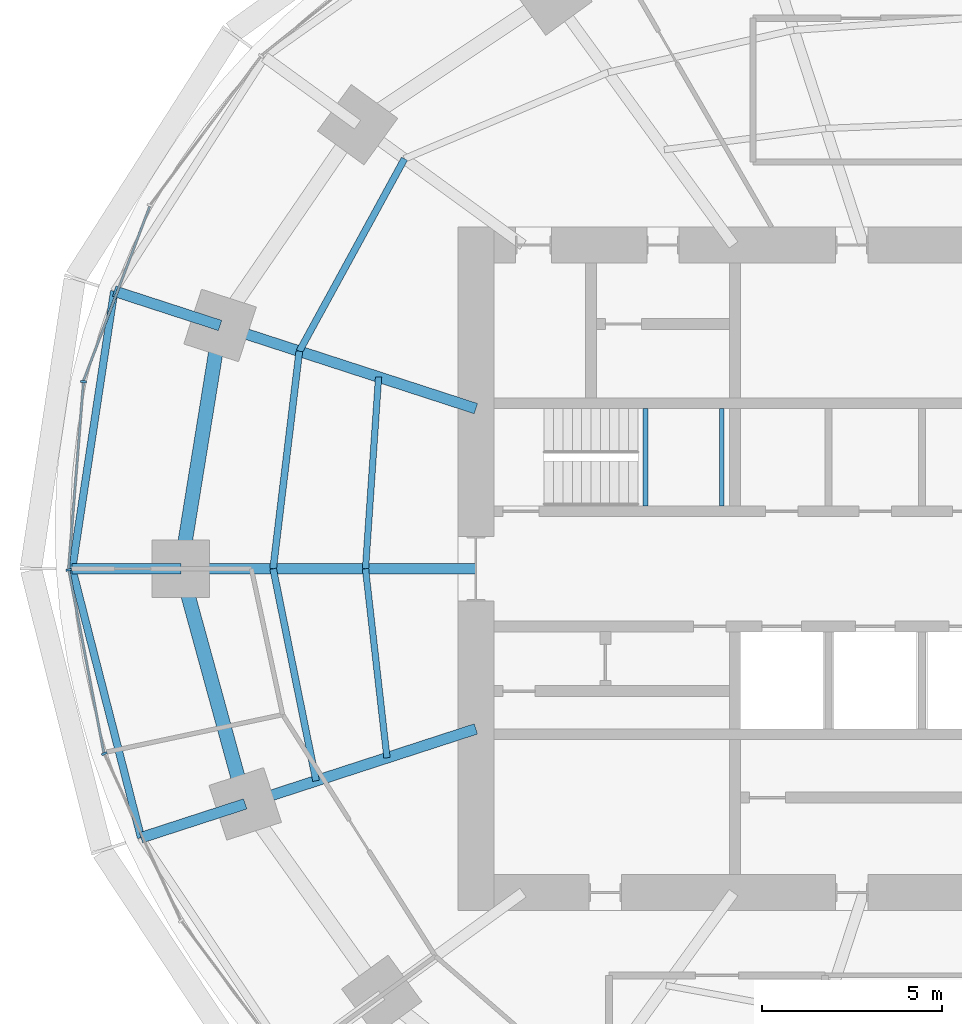
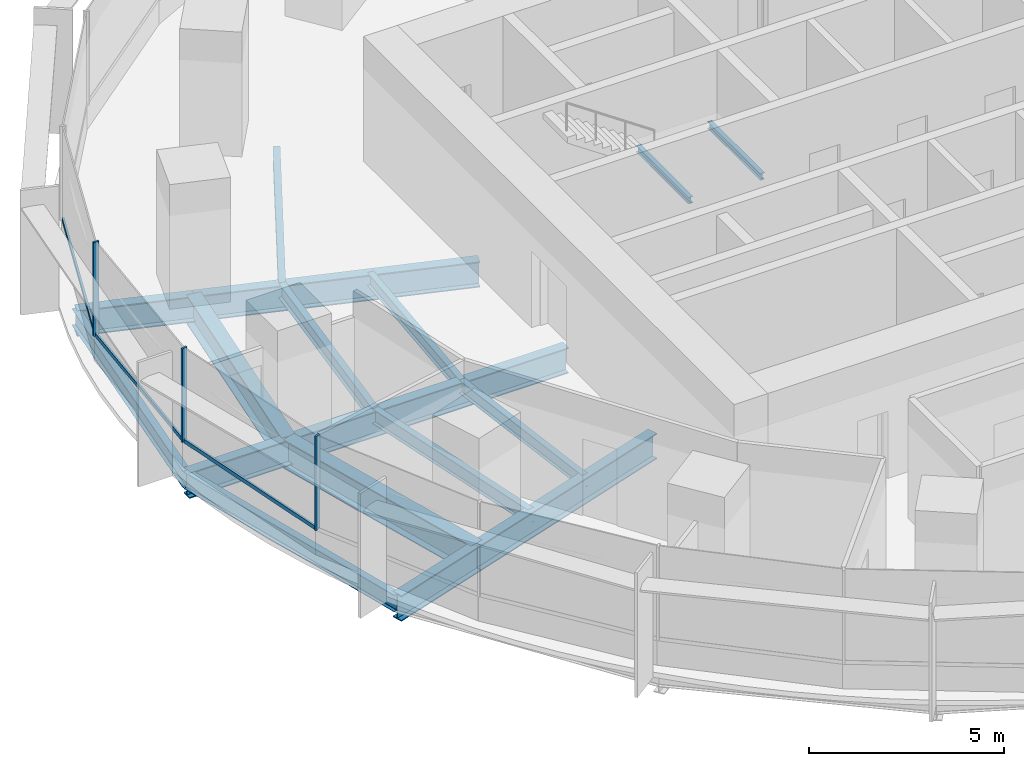
# One storey, part 4 of 14: 17 beams, 6 members, 2 elements without a shape of their own.
"""IFC4 building model written with IfcOpenShell, lengths in metres."""

import ifcopenshell
import ifcopenshell.guid

model = None  # the IFC model being written
_history = None  # IfcOwnerHistory: only IFC2X3 demands one
_inside = {}  # id of a spatial element -> (the spatial element, [elements in it])
_under = {}  # id of a project, library or spatial element -> (it, [spatial elements below it])
_declared = {}  # id of a project -> (the project, [libraries it declares])
_typed = {}  # id of a type object -> (the type object, [elements of that type])
_made_of = {}  # id of a material, layer set ... -> (it, [elements and type objects made of it])


def new_model(schema):
    """Start an empty IFC model of exactly this schema.

    Asked for "IFC4X3", IfcOpenShell would pick the latest addendum, in which some entities
    have other attributes; the version numbers below select the first issue.
    IFC2X3 requires an IfcOwnerHistory on every rooted entity: one is made here for all.
    """
    global model, _history
    if schema == "IFC4X3":
        model = ifcopenshell.file(schema_version=(4, 3, 0, 0))
    else:
        model = ifcopenshell.file(schema=schema)
    _inside.clear()
    _under.clear()
    _declared.clear()
    _typed.clear()
    _made_of.clear()
    _history = None
    if model.schema == "IFC2X3":
        org = make("IfcOrganization", Name="unknown")
        user = make(
            "IfcPersonAndOrganization",
            ThePerson=make("IfcPerson", FamilyName="unknown"),
            TheOrganization=org,
        )
        app = make(
            "IfcApplication",
            ApplicationDeveloper=org,
            Version="unknown",
            ApplicationFullName="unknown",
            ApplicationIdentifier="unknown",
        )
        _history = make(
            "IfcOwnerHistory",
            OwningUser=user,
            OwningApplication=app,
            ChangeAction="ADDED",
            CreationDate=0,
        )
    return model


def make(cls, **values):
    """One entity of the class cls with the attributes given. An attribute that is None is left unset."""
    return model.create_entity(
        cls, **{name: value for name, value in values.items() if value is not None}
    )


def rooted(cls, **values):
    """An entity with a GlobalId (a new one), such as an element, a storey or a relation."""
    return make(cls, GlobalId=ifcopenshell.guid.new(), OwnerHistory=_history, **values)


def si_unit(unit_type, name, prefix=None):
    """IfcSIUnit, for example si_unit("LENGTHUNIT", "METRE", prefix="MILLI")."""
    return make("IfcSIUnit", UnitType=unit_type, Prefix=prefix, Name=name)


def assignment(units):
    """IfcUnitAssignment: the units of a project."""
    return None if units is None else make("IfcUnitAssignment", Units=units)


def point(xyz):
    """IfcCartesianPoint."""
    return None if xyz is None else make("IfcCartesianPoint", Coordinates=xyz)


def direction(xyz):
    """IfcDirection."""
    return None if xyz is None else make("IfcDirection", DirectionRatios=xyz)


def frame(location, z_axis=None, x_axis=None):
    """IfcAxis2Placement3D, a coordinate frame: its origin and axes. An axis left out is left unset."""
    return make(
        "IfcAxis2Placement3D",
        Location=point(location),
        Axis=direction(z_axis),
        RefDirection=direction(x_axis),
    )


def frame_2d(location, x_axis=None):
    """IfcAxis2Placement2D, a coordinate frame in the plane: its origin and x axis."""
    return make(
        "IfcAxis2Placement2D", Location=point(location), RefDirection=direction(x_axis)
    )


def origin():
    """The frame at (0, 0, 0) with its axes left unset."""
    return frame((0.0, 0.0, 0.0))


def origin_2d():
    """The frame at (0, 0) in the plane with its x axis left unset."""
    return frame_2d((0.0, 0.0))


def place(relative_to, where):
    """IfcLocalPlacement: puts the frame where relative to a parent placement (None: the world)."""
    return make(
        "IfcLocalPlacement", PlacementRelTo=relative_to, RelativePlacement=where
    )


def context(
    kind, dimensions, precision=None, world=None, true_north=None, identifier=None
):
    """IfcGeometricRepresentationContext, for example the 3D "Model" context."""
    return make(
        "IfcGeometricRepresentationContext",
        ContextIdentifier=identifier,
        ContextType=kind,
        CoordinateSpaceDimension=dimensions,
        Precision=precision,
        WorldCoordinateSystem=world,
        TrueNorth=true_north,
    )


def subcontext(parent, identifier, kind, view, scale=None):
    """IfcGeometricRepresentationSubContext, for example "Body" below "Model"."""
    return make(
        "IfcGeometricRepresentationSubContext",
        ContextIdentifier=identifier,
        ContextType=kind,
        ParentContext=parent,
        TargetScale=scale,
        TargetView=view,
    )


def project(units=None, contexts=None):
    """IfcProject with its units and contexts."""
    return rooted(
        "IfcProject",
        Name="project",
        RepresentationContexts=contexts,
        UnitsInContext=assignment(units),
    )


def spatial(cls, under=None, at=None, **own):
    """A site, building, storey or space (cls), placed at a placement, below another one or the project."""
    s = rooted(cls, ObjectPlacement=at, **own)
    if under is not None:
        _under.setdefault(under.id(), (under, []))[1].append(s)
    return s


def profile(cls, at=None, kind="AREA", **sizes):
    """A parametric profile (cls). Its sizes go by their IFC names, for example OverallWidth=200.0."""
    return make(cls, ProfileType=kind, Position=at, **sizes)


def rectangle(**sizes):
    """IfcRectangleProfileDef."""
    return profile("IfcRectangleProfileDef", **sizes)


def i_section(**sizes):
    """IfcIShapeProfileDef."""
    return profile("IfcIShapeProfileDef", **sizes)


def extrude(swept, where, along, depth):
    """IfcExtrudedAreaSolid: the profile swept, set in the frame where, extruded along a direction by depth."""
    return make(
        "IfcExtrudedAreaSolid",
        SweptArea=swept,
        Position=where,
        ExtrudedDirection=direction(along),
        Depth=depth,
    )


def shape(context_of_items, identifier, shape_type, items):
    """IfcShapeRepresentation: the items that make up one representation, for example the "Body"."""
    return make(
        "IfcShapeRepresentation",
        ContextOfItems=context_of_items,
        RepresentationIdentifier=identifier,
        RepresentationType=shape_type,
        Items=items,
    )


def material(Name=None, Category=None):
    """IfcMaterial."""
    return make("IfcMaterial", Name=Name, Category=Category)


def material_profile(
    of_material, cross_section, Name=None, Category=None, Priority=None
):
    """IfcMaterialProfile: a cross section and its material."""
    return make(
        "IfcMaterialProfile",
        Name=Name,
        Material=of_material,
        Profile=cross_section,
        Priority=Priority,
        Category=Category,
    )


def profile_set(profiles, Name=None, composite=None):
    """IfcMaterialProfileSet."""
    return make(
        "IfcMaterialProfileSet",
        Name=Name,
        MaterialProfiles=profiles,
        CompositeProfile=composite,
    )


def made_of(thing, what):
    """Note that an element or type object is made of a material, layer set ...; save() writes the relation."""
    if what is not None:
        _made_of.setdefault(what.id(), (what, []))[1].append(thing)
    return thing


def type_object(cls, material=None, **own):
    """A type object (cls), such as IfcWallType, which elements share."""
    return made_of(rooted(cls, **own), material)


def element(
    cls,
    number,
    at=None,
    inside=None,
    cuts=None,
    type_object=None,
    material=None,
    context=None,
    identifier="Body",
    shape_type=None,
    held_by="IfcProductDefinitionShape",
    body=None,
    shapes=None,
    **own,
):
    """One element of the class cls, such as IfcWall. Its Tag is "e" and its number.

    at: its placement. inside: the storey or other place that contains it. cuts: it is an
    opening in that element (IfcRelVoidsElement). A single representation is given by context,
    identifier, shape_type and body (its items); several are given by shapes. held_by: the class
    of the entity that holds the representations. save() writes the other relations.
    """
    e = rooted(cls, Tag="e%d" % number, ObjectPlacement=at, **own)
    if body is not None:
        shapes = [shape(context, identifier, shape_type, body)]
    if shapes is not None:
        e.Representation = make(held_by, Representations=shapes)
    if inside is not None:
        _inside.setdefault(inside.id(), (inside, []))[1].append(e)
    if cuts is not None:
        rooted(
            "IfcRelVoidsElement", RelatingBuildingElement=cuts, RelatedOpeningElement=e
        )
    if type_object is not None:
        _typed.setdefault(type_object.id(), (type_object, []))[1].append(e)
    return made_of(e, material)


def aggregate(whole, parts):
    """IfcRelAggregates: a whole, such as a stair, and the parts it consists of."""
    return rooted("IfcRelAggregates", RelatingObject=whole, RelatedObjects=parts)


def save(model, path):
    """Write the relations noted so far, then the file.

    IfcRelAggregates (storeys below a building ...), IfcRelContainedInSpatialStructure (elements
    in a storey), IfcRelDefinesByType, IfcRelAssociatesMaterial and IfcRelDeclares: one each for
    every whole, place, type object, material and project.
    """
    for whole, parts in _under.values():
        aggregate(whole, parts)
    for where, things in _inside.values():
        rooted(
            "IfcRelContainedInSpatialStructure",
            RelatedElements=things,
            RelatingStructure=where,
        )
    for kind, things in _typed.values():
        rooted("IfcRelDefinesByType", RelatedObjects=things, RelatingType=kind)
    for what, things in _made_of.values():
        rooted("IfcRelAssociatesMaterial", RelatedObjects=things, RelatingMaterial=what)
    for by, libraries in _declared.values():
        rooted("IfcRelDeclares", RelatingContext=by, RelatedDefinitions=libraries)
    model.write(path)


model = new_model("IFC4")

# Units and contexts
model_context = context("Model", 3, precision=1e-05, world=origin(), true_north=direction((0.0, 1.0)))
body_context = subcontext(model_context, "Body", "Model", "MODEL_VIEW")
ifc_project = project(units=[si_unit("LENGTHUNIT", "METRE"), si_unit("AREAUNIT", "SQUARE_METRE"), si_unit("VOLUMEUNIT", "CUBIC_METRE"), si_unit("PLANEANGLEUNIT", "RADIAN"), si_unit("MASSUNIT", "GRAM", prefix="KILO")], contexts=[model_context])

# Site, building, storey
site_placement = place(None, origin())
site = spatial("IfcSite", under=ifc_project, at=site_placement, CompositionType="ELEMENT")
building_placement = place(site_placement, origin())
building = spatial("IfcBuilding", under=site, at=building_placement, Name="Marramba Exchange Tower", CompositionType="ELEMENT")
storey_placement = place(building_placement, frame((0.0, 0.0, 100.199951171875)))
storey = spatial("IfcBuildingStorey", under=building, at=storey_placement, Name="L23", CompositionType="ELEMENT", Elevation=100.199951171875)

# Beams
ifc_material_1 = material(Name="Steel AS/NZS 3679.2 grade 300", Category="steel")
ifc_material_profile_1 = material_profile(ifc_material_1, i_section(OverallWidth=0.300048828125, OverallDepth=0.800048828125, WebThickness=0.013916015625, FlangeThickness=0.031982421875, at=origin_2d()), Name="800WB192")
ifc_profile_set_1 = profile_set([ifc_material_profile_1], Name="Steel AS/NZS 3679.2 grade 300")
beam_type_1 = type_object("IfcBeamType", Name="Cantilever girder 800WB192", PredefinedType="BEAM", material=ifc_profile_set_1)
beam_1_placement = place(storey_placement, frame((-20.808349609375, 6.760986328125, -0.56005859375), z_axis=(-0.95104799017, 0.309043233858, 0.0), x_axis=(-0.309043233858, -0.95104799017, 0.0)))
element("IfcBeam", 1, at=beam_1_placement, inside=storey, type_object=beam_type_1, Name="Cantilever girder L23 TC10", PredefinedType="BEAM", context=body_context, shape_type="SweptSolid", body=[
    extrude(i_section(OverallWidth=0.300048828125, OverallDepth=0.800048828125, WebThickness=0.013916015625, FlangeThickness=0.031982421875, at=origin_2d()), origin(), (0.0, 0.0, 1.0), 3.0927734375),
])
beam_2_placement = place(storey_placement, frame((-21.89990234375, 0.0, -0.56005859375), z_axis=(-1.0, 0.0, 0.0), x_axis=(0.0, -1.0, 0.0)))
element("IfcBeam", 2, at=beam_2_placement, inside=storey, type_object=beam_type_1, Name="Cantilever girder L23 TC11", PredefinedType="BEAM", context=body_context, shape_type="SweptSolid", body=[
    extrude(i_section(OverallWidth=0.300048828125, OverallDepth=0.800048828125, WebThickness=0.013916015625, FlangeThickness=0.031982421875, at=origin_2d()), origin(), (0.0, 0.0, 1.0), 3.01806640625),
])
beam_3_placement = place(storey_placement, frame((-20.109375, -6.533935546875, -0.56005859375), z_axis=(-0.951070617775, -0.308973591113, 0.0), x_axis=(0.308973591113, -0.951070617775, 0.0)))
element("IfcBeam", 3, at=beam_3_placement, inside=storey, type_object=beam_type_1, Name="Cantilever girder L23 TC12", PredefinedType="BEAM", context=body_context, shape_type="SweptSolid", body=[
    extrude(i_section(OverallWidth=0.300048828125, OverallDepth=0.800048828125, WebThickness=0.013916015625, FlangeThickness=0.031982421875, at=origin_2d()), origin(), (0.0, 0.0, 1.0), 3.04296875),
])
ifc_material_2 = material(Name="Steel AS/NZS 3679.1 grade 300", Category="steel")
ifc_material_profile_2 = material_profile(ifc_material_2, i_section(OverallWidth=0.177978515625, OverallDepth=0.406005859375, WebThickness=0.0078125, FlangeThickness=0.0126953125, FilletRadius=0.011474609375, at=origin_2d()), Name="410UB59.7")
ifc_profile_set_2 = profile_set([ifc_material_profile_2], Name="Steel AS/NZS 3679.1 grade 300")
beam_type_2 = type_object("IfcBeamType", Name="Floor joist 410UB59.7", PredefinedType="JOIST", material=ifc_profile_set_2)
beam_4_placement = place(storey_placement, frame((-16.40283203125, 5.32958984375, -0.363037109375), z_axis=(-0.068096259546, -0.99767875563, 0.0), x_axis=(0.99767875563, -0.068096259546, 0.0)))
element("IfcBeam", 4, at=beam_4_placement, inside=storey, type_object=beam_type_2, Name="Joist L23 bay 10 row 1", PredefinedType="JOIST", context=body_context, shape_type="SweptSolid", body=[
    extrude(i_section(OverallWidth=0.177978515625, OverallDepth=0.406005859375, WebThickness=0.0078125, FlangeThickness=0.0126953125, FilletRadius=0.011474609375, at=origin_2d()), origin(), (0.0, 0.0, 1.0), 5.342041015625),
])
beam_5_placement = place(storey_placement, frame((-16.7666015625, 0.0, -0.363037109375), z_axis=(0.112888968594, -0.993607609054, 0.0), x_axis=(0.993607609054, 0.112888968594, 0.0)))
element("IfcBeam", 5, at=beam_5_placement, inside=storey, type_object=beam_type_2, Name="Joist L23 bay 11 row 1", PredefinedType="JOIST", context=body_context, shape_type="SweptSolid", body=[
    extrude(i_section(OverallWidth=0.177978515625, OverallDepth=0.406005859375, WebThickness=0.0078125, FlangeThickness=0.0126953125, FilletRadius=0.011474609375, at=origin_2d()), origin(), (0.0, 0.0, 1.0), 5.28759765625),
])
ifc_material_profile_3 = material_profile(ifc_material_2, i_section(OverallWidth=0.18994140625, OverallDepth=0.4541015625, WebThickness=0.008544921875, FlangeThickness=0.0126953125, FilletRadius=0.011474609375, at=origin_2d()), Name="460UB67.1")
ifc_profile_set_3 = profile_set([ifc_material_profile_3], Name="Steel AS/NZS 3679.1 grade 300")
beam_type_3 = type_object("IfcBeamType", Name="Floor joist 460UB67.1", PredefinedType="JOIST", material=ifc_profile_set_3)
beam_6_placement = place(storey_placement, frame((-15.682373046875, 11.393798828125, -0.386962890625), z_axis=(-0.479584443791, -0.877495732909, 0.0), x_axis=(0.877495732909, -0.479584443791, 0.0)))
element("IfcBeam", 6, at=beam_6_placement, inside=storey, type_object=beam_type_3, Name="Joist L23 bay 09 row 2", PredefinedType="JOIST", context=body_context, shape_type="SweptSolid", body=[
    extrude(i_section(OverallWidth=0.18994140625, OverallDepth=0.4541015625, WebThickness=0.008544921875, FlangeThickness=0.0126953125, FilletRadius=0.011474609375, at=origin_2d()), origin(), (0.0, 0.0, 1.0), 6.094970703125),
])
beam_7_placement = place(storey_placement, frame((-18.60546875, 6.04541015625, -0.386962890625), z_axis=(-0.119523078538, -0.992831422597, 0.0), x_axis=(0.992831422597, -0.119523078538, 0.0)))
element("IfcBeam", 7, at=beam_7_placement, inside=storey, type_object=beam_type_3, Name="Joist L23 bay 10 row 2", PredefinedType="JOIST", context=body_context, shape_type="SweptSolid", body=[
    extrude(i_section(OverallWidth=0.18994140625, OverallDepth=0.4541015625, WebThickness=0.008544921875, FlangeThickness=0.0126953125, FilletRadius=0.011474609375, at=origin_2d()), origin(), (0.0, 0.0, 1.0), 6.089111328125),
])
beam_8_placement = place(storey_placement, frame((-19.333251953125, 0.0, -0.386962890625), z_axis=(0.198489047047, -0.980103105904, 0.0), x_axis=(0.980103105904, 0.198489047047, 0.0)))
element("IfcBeam", 8, at=beam_8_placement, inside=storey, type_object=beam_type_3, Name="Joist L23 bay 11 row 2", PredefinedType="JOIST", context=body_context, shape_type="SweptSolid", body=[
    extrude(i_section(OverallWidth=0.18994140625, OverallDepth=0.4541015625, WebThickness=0.008544921875, FlangeThickness=0.0126953125, FilletRadius=0.011474609375, at=origin_2d()), origin(), (0.0, 0.0, 1.0), 6.013427734375),
])

# Curtain wall, member
ifc_material_3 = material(Name="Aluminium framing, bronze anodised", Category="aluminium")
curtain_wall_type = type_object("IfcCurtainWallType", Name="Office ribbon curtain wall", PredefinedType="USERDEFINED", material=ifc_material_3)
curtain_wall_1_placement = place(storey_placement, origin())
curtain_wall_1 = element("IfcCurtainWall", 9, at=curtain_wall_1_placement, inside=storey, type_object=curtain_wall_type, Name="Curtain wall CW4 L23 F11-F15", ObjectType="RIBBON CURTAIN WALL", PredefinedType="USERDEFINED")
ifc_material_4 = material(Name="Aluminium mullion, bronze anodised", Category="aluminium")
ifc_material_profile_4 = material_profile(ifc_material_4, rectangle(XDim=0.159912109375, YDim=0.06005859375, at=origin_2d()), Name="CW4 mullion 60x160")
ifc_profile_set_4 = profile_set([ifc_material_profile_4], Name="Aluminium mullion, bronze anodised")
member_type_1 = type_object("IfcMemberType", Name="Office ribbon curtain wall mullion", PredefinedType="MULLION", material=ifc_profile_set_4)
member_1_placement = place(storey_placement, frame((-24.603515625, 5.19921875, 0.800048828125), z_axis=(0.0, 0.0, 1.0), x_axis=(0.996838079455, -0.079459696383, 0.0)))
member_1 = element("IfcMember", 10, at=member_1_placement, type_object=member_type_1, Name="CW4 mullion 1", PredefinedType="MULLION", context=body_context, shape_type="SweptSolid", body=[
    extrude(rectangle(XDim=0.159912109375, YDim=0.06005859375, at=origin_2d()), origin(), (0.0, 0.0, 1.0), 2.93994140625),
])

# Curtain wall, members
curtain_wall_2_placement = place(storey_placement, origin())
curtain_wall_2 = element("IfcCurtainWall", 11, at=curtain_wall_2_placement, inside=storey, type_object=curtain_wall_type, Name="Curtain wall CW4 L23 F16-F20", ObjectType="RIBBON CURTAIN WALL", PredefinedType="USERDEFINED")
member_2_placement = place(storey_placement, frame((-25.012451171875, -0.029541015625, 0.800048828125), z_axis=(0.0, 0.0, 1.0), x_axis=(0.982125509078, 0.18822721487, 0.0)))
member_2 = element("IfcMember", 12, at=member_2_placement, type_object=member_type_1, Name="CW4 mullion 1", PredefinedType="MULLION", context=body_context, shape_type="SweptSolid", body=[
    extrude(rectangle(XDim=0.159912109375, YDim=0.06005859375, at=origin_2d()), origin(), (0.0, 0.0, 1.0), 2.93994140625),
])
member_3_placement = place(storey_placement, frame((-24.026123046875, -5.136962890625, 0.800048828125), z_axis=(0.0, 0.0, 1.0), x_axis=(0.909026713177, 0.416737848929, 0.0)))
member_3 = element("IfcMember", 13, at=member_3_placement, type_object=member_type_1, Name="CW4 mullion 1", PredefinedType="MULLION", context=body_context, shape_type="SweptSolid", body=[
    extrude(rectangle(XDim=0.159912109375, YDim=0.06005859375, at=origin_2d()), origin(), (0.0, 0.0, 1.0), 2.93994140625),
])

# Member
ifc_material_5 = material(Name="Aluminium transom, bronze anodised", Category="aluminium")
ifc_material_profile_5 = material_profile(ifc_material_5, rectangle(XDim=0.06005859375, YDim=0.1201171875, at=origin_2d()), Name="CW4 transom 60x120")
ifc_profile_set_5 = profile_set([ifc_material_profile_5], Name="Aluminium transom, bronze anodised")
member_type_2 = type_object("IfcMemberType", Name="Office ribbon curtain wall transom", PredefinedType="USERDEFINED", material=ifc_profile_set_5)
member_4_placement = place(storey_placement, frame((-22.763916015625, 10.069580078125, 0.830078125), z_axis=(-0.354851822252, -0.934922555212, 0.0), x_axis=(0.934922555212, -0.354851822252, 0.0)))
member_4 = element("IfcMember", 14, at=member_4_placement, type_object=member_type_2, Name="CW4 sill transom", ObjectType="TRANSOM", PredefinedType="USERDEFINED", context=body_context, shape_type="SweptSolid", body=[
    extrude(rectangle(XDim=0.06005859375, YDim=0.1201171875, at=origin_2d()), origin(), (0.0, 0.0, 1.0), 5.17724609375),
])

member_5_placement = place(storey_placement, frame((-24.60595703125, 5.16943359375, 0.830078125), z_axis=(-0.07946828762, -0.996837394595, 0.0), x_axis=(0.996837394595, -0.07946828762, 0.0)))
member_5 = element("IfcMember", 15, at=member_5_placement, type_object=member_type_2, Name="CW4 sill transom", ObjectType="TRANSOM", PredefinedType="USERDEFINED", context=body_context, shape_type="SweptSolid", body=[
    extrude(rectangle(XDim=0.06005859375, YDim=0.1201171875, at=origin_2d()), origin(), (0.0, 0.0, 1.0), 5.185791015625),
])

aggregate(curtain_wall_1, [member_4, member_1, member_5])

member_6_placement = place(storey_placement, frame((-25.006591796875, -0.058837890625, 0.830078125), z_axis=(0.188185293992, -0.982133542409, 0.0), x_axis=(0.982133542409, 0.188185293992, 0.0)))
member_6 = element("IfcMember", 16, at=member_6_placement, type_object=member_type_2, Name="CW4 sill transom", ObjectType="TRANSOM", PredefinedType="USERDEFINED", context=body_context, shape_type="SweptSolid", body=[
    extrude(rectangle(XDim=0.06005859375, YDim=0.1201171875, at=origin_2d()), origin(), (0.0, 0.0, 1.0), 5.142578125),
])

aggregate(curtain_wall_2, [member_2, member_6, member_3])

# Beams
ifc_material_profile_6 = material_profile(ifc_material_1, i_section(OverallWidth=0.300048828125, OverallDepth=0.800048828125, WebThickness=0.013916015625, FlangeThickness=0.031982421875, at=origin_2d()), Name="800WB192")
ifc_profile_set_6 = profile_set([ifc_material_profile_6], Name="Steel AS/NZS 3679.2 grade 300")
beam_type_4 = type_object("IfcBeamType", Name="Radial girder 800WB192", PredefinedType="BEAM", material=ifc_profile_set_6)
beam_9_placement = place(storey_placement, frame((-13.699951171875, 4.451416015625, -0.56005859375), z_axis=(-0.951059990189, 0.309006302624, 0.0), x_axis=(-0.309006302624, -0.951059990189, 0.0)))
element("IfcBeam", 17, at=beam_9_placement, inside=storey, type_object=beam_type_4, Name="Radial girder L23 TC10", PredefinedType="BEAM", context=body_context, shape_type="SweptSolid", body=[
    extrude(i_section(OverallWidth=0.300048828125, OverallDepth=0.800048828125, WebThickness=0.013916015625, FlangeThickness=0.031982421875, at=origin_2d()), origin(), (0.0, 0.0, 1.0), 7.47412109375),
])
beam_10_placement = place(storey_placement, frame((-13.699951171875, 0.0, -0.56005859375), z_axis=(-1.0, 0.0, 0.0), x_axis=(0.0, -1.0, 0.0)))
element("IfcBeam", 18, at=beam_10_placement, inside=storey, type_object=beam_type_4, Name="Radial girder L23 TC11", PredefinedType="BEAM", context=body_context, shape_type="SweptSolid", body=[
    extrude(i_section(OverallWidth=0.300048828125, OverallDepth=0.800048828125, WebThickness=0.013916015625, FlangeThickness=0.031982421875, at=origin_2d()), origin(), (0.0, 0.0, 1.0), 8.199951171875),
])
beam_11_placement = place(storey_placement, frame((-13.699951171875, -4.451416015625, -0.56005859375), z_axis=(-0.951057759669, -0.309013167637, 0.0), x_axis=(0.309013167637, -0.951057759669, 0.0)))
element("IfcBeam", 19, at=beam_11_placement, inside=storey, type_object=beam_type_4, Name="Radial girder L23 TC12", PredefinedType="BEAM", context=body_context, shape_type="SweptSolid", body=[
    extrude(i_section(OverallWidth=0.300048828125, OverallDepth=0.800048828125, WebThickness=0.013916015625, FlangeThickness=0.031982421875, at=origin_2d()), origin(), (0.0, 0.0, 1.0), 6.7392578125),
])
ifc_material_profile_7 = material_profile(ifc_material_1, i_section(OverallWidth=0.39990234375, OverallDepth=0.89990234375, WebThickness=0.01611328125, FlangeThickness=0.031982421875, at=origin_2d()), Name="900WB282")
ifc_profile_set_7 = profile_set([ifc_material_profile_7], Name="Steel AS/NZS 3679.2 grade 300")
beam_type_5 = type_object("IfcBeamType", Name="Ring beam 900WB282", PredefinedType="SPANDREL", material=ifc_profile_set_7)
beam_12_placement = place(storey_placement, frame((-20.808349609375, 6.760986328125, -0.60986328125), z_axis=(-0.159384865399, -0.987216523708, 0.0), x_axis=(0.987216523708, -0.159384865399, 0.0)))
element("IfcBeam", 20, at=beam_12_placement, inside=storey, type_object=beam_type_5, Name="Ring beam L23 TC10-TC11", PredefinedType="SPANDREL", context=body_context, shape_type="SweptSolid", body=[
    extrude(i_section(OverallWidth=0.39990234375, OverallDepth=0.89990234375, WebThickness=0.01611328125, FlangeThickness=0.031982421875, at=origin_2d()), origin(), (0.0, 0.0, 1.0), 6.8486328125),
])
beam_13_placement = place(storey_placement, frame((-21.89990234375, 0.0, -0.60986328125), z_axis=(0.264291166956, -0.964442937176, 0.0), x_axis=(0.964442937176, 0.264291166956, 0.0)))
element("IfcBeam", 21, at=beam_13_placement, inside=storey, type_object=beam_type_5, Name="Ring beam L23 TC11-TC12", PredefinedType="SPANDREL", context=body_context, shape_type="SweptSolid", body=[
    extrude(i_section(OverallWidth=0.39990234375, OverallDepth=0.89990234375, WebThickness=0.01611328125, FlangeThickness=0.031982421875, at=origin_2d()), origin(), (0.0, 0.0, 1.0), 6.77490234375),
])
ifc_material_profile_8 = material_profile(ifc_material_2, i_section(OverallWidth=0.208984375, OverallDepth=0.528076171875, WebThickness=0.009521484375, FlangeThickness=0.01318359375, FilletRadius=0.013916015625, at=origin_2d()), Name="530UB82.0")
ifc_profile_set_8 = profile_set([ifc_material_profile_8], Name="Steel AS/NZS 3679.1 grade 300")
beam_type_6 = type_object("IfcBeamType", Name="Slab edge beam 530UB82.0", PredefinedType="SPANDREL", material=ifc_profile_set_8)
beam_14_placement = place(storey_placement, frame((-23.749755859375, 7.716796875, -0.424072265625), z_axis=(-0.149680281727, -0.988734450326, 0.0), x_axis=(0.988734450326, -0.149680281727, 0.0)))
element("IfcBeam", 22, at=beam_14_placement, inside=storey, type_object=beam_type_6, Name="Slab edge beam L23 TC10-TC11", PredefinedType="SPANDREL", context=body_context, shape_type="SweptSolid", body=[
    extrude(i_section(OverallWidth=0.208984375, OverallDepth=0.528076171875, WebThickness=0.009521484375, FlangeThickness=0.01318359375, FilletRadius=0.013916015625, at=origin_2d()), origin(), (0.0, 0.0, 1.0), 7.8046875),
])
beam_15_placement = place(storey_placement, frame((-24.91796875, 0.0, -0.424072265625), z_axis=(0.248145427917, -0.968722791413, 0.0), x_axis=(0.968722791413, 0.248145427917, 0.0)))
element("IfcBeam", 23, at=beam_15_placement, inside=storey, type_object=beam_type_6, Name="Slab edge beam L23 TC11-TC12", PredefinedType="SPANDREL", context=body_context, shape_type="SweptSolid", body=[
    extrude(i_section(OverallWidth=0.208984375, OverallDepth=0.528076171875, WebThickness=0.009521484375, FlangeThickness=0.01318359375, FilletRadius=0.013916015625, at=origin_2d()), origin(), (0.0, 0.0, 1.0), 7.71533203125),
])
ifc_material_profile_9 = material_profile(ifc_material_2, i_section(OverallWidth=0.133056640625, OverallDepth=0.202880859375, WebThickness=0.005859375, FlangeThickness=0.0078125, FilletRadius=0.0087890625, at=origin_2d()), Name="200UB25.4")
ifc_profile_set_9 = profile_set([ifc_material_profile_9], Name="Steel AS/NZS 3679.1 grade 300")
beam_type_7 = type_object("IfcBeamType", Name="Stair landing beam 200UB25.4", PredefinedType="BEAM", material=ifc_profile_set_9)
for number, where, z_axis, x_axis, name in (
    (24, (-8.9833984375, 1.75, 1.6484375), (0.0, 1.0, 0.0), (-1.0, 0.0, 0.0), "Stair landing beam SLB1 ST1 L23 1"),
    (25, (-6.866455078125, 1.75, 1.6484375), (0.0, 1.0, 0.0), (-1.0, 0.0, 0.0), "Stair landing beam SLB1 ST1 L23 2"),
):
    element("IfcBeam", number, at=place(storey_placement, frame(where, z_axis=z_axis, x_axis=x_axis)), inside=storey, type_object=beam_type_7, Name=name, PredefinedType="BEAM", context=body_context, shape_type="SweptSolid", body=[
        extrude(i_section(OverallWidth=0.133056640625, OverallDepth=0.202880859375, WebThickness=0.005859375, FlangeThickness=0.0078125, FilletRadius=0.0087890625, at=origin_2d()), origin(), (0.0, 0.0, 1.0), 2.699951171875),
    ])

save(model, "model.ifc")
